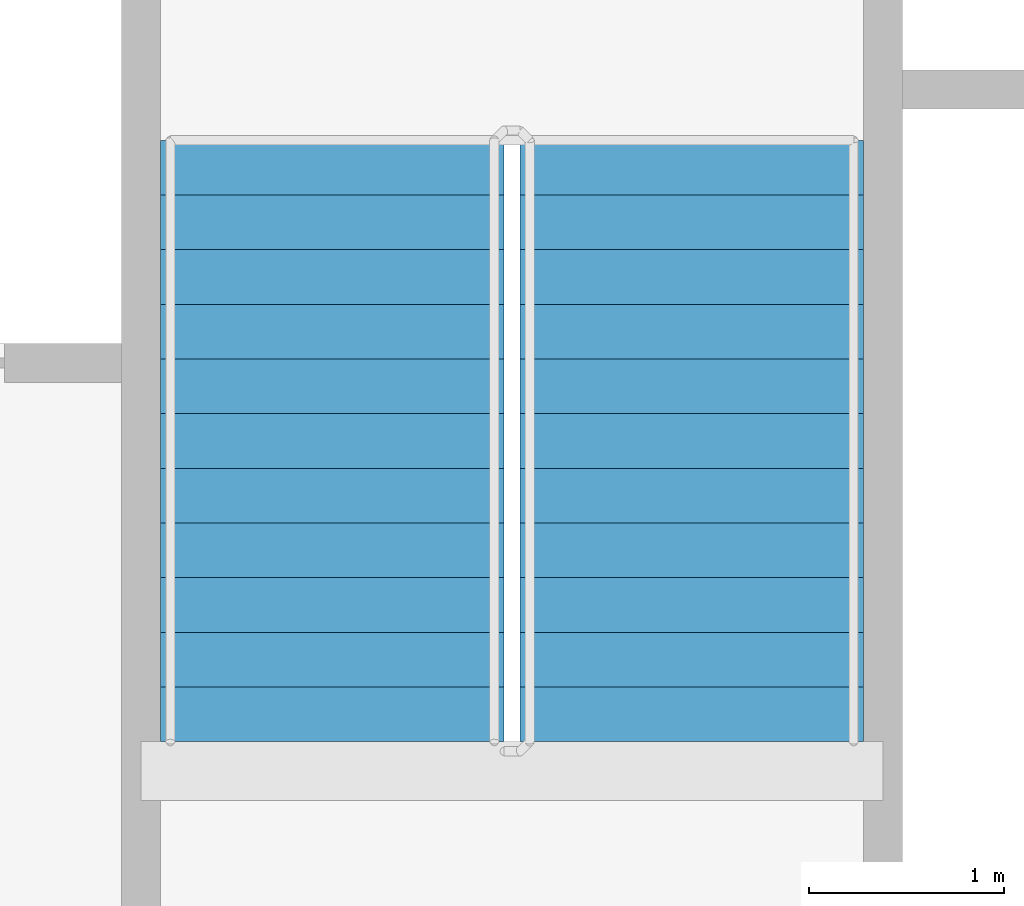
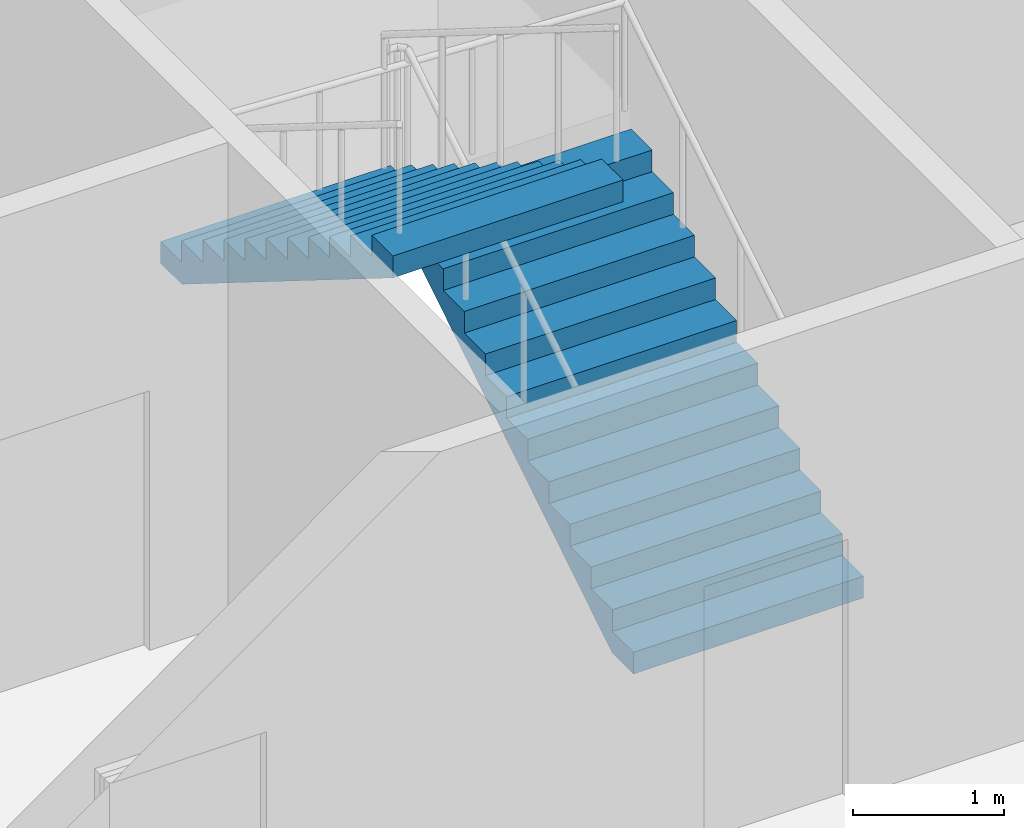
# One storey, part 24 of 28: 2 stair flights, 1 element without a shape of its own.
"""IFC4 building model written with IfcOpenShell, lengths in metres."""

import ifcopenshell
import ifcopenshell.guid

model = None  # the IFC model being written
_history = None  # IfcOwnerHistory: only IFC2X3 demands one
_inside = {}  # id of a spatial element -> (the spatial element, [elements in it])
_under = {}  # id of a project, library or spatial element -> (it, [spatial elements below it])
_declared = {}  # id of a project -> (the project, [libraries it declares])
_typed = {}  # id of a type object -> (the type object, [elements of that type])
_made_of = {}  # id of a material, layer set ... -> (it, [elements and type objects made of it])


def new_model(schema):
    """Start an empty IFC model of exactly this schema.

    Asked for "IFC4X3", IfcOpenShell would pick the latest addendum, in which some entities
    have other attributes; the version numbers below select the first issue.
    IFC2X3 requires an IfcOwnerHistory on every rooted entity: one is made here for all.
    """
    global model, _history
    if schema == "IFC4X3":
        model = ifcopenshell.file(schema_version=(4, 3, 0, 0))
    else:
        model = ifcopenshell.file(schema=schema)
    _inside.clear()
    _under.clear()
    _declared.clear()
    _typed.clear()
    _made_of.clear()
    _history = None
    if model.schema == "IFC2X3":
        org = make("IfcOrganization", Name="unknown")
        user = make(
            "IfcPersonAndOrganization",
            ThePerson=make("IfcPerson", FamilyName="unknown"),
            TheOrganization=org,
        )
        app = make(
            "IfcApplication",
            ApplicationDeveloper=org,
            Version="unknown",
            ApplicationFullName="unknown",
            ApplicationIdentifier="unknown",
        )
        _history = make(
            "IfcOwnerHistory",
            OwningUser=user,
            OwningApplication=app,
            ChangeAction="ADDED",
            CreationDate=0,
        )
    return model


def make(cls, **values):
    """One entity of the class cls with the attributes given. An attribute that is None is left unset."""
    return model.create_entity(
        cls, **{name: value for name, value in values.items() if value is not None}
    )


def rooted(cls, **values):
    """An entity with a GlobalId (a new one), such as an element, a storey or a relation."""
    return make(cls, GlobalId=ifcopenshell.guid.new(), OwnerHistory=_history, **values)


def si_unit(unit_type, name, prefix=None):
    """IfcSIUnit, for example si_unit("LENGTHUNIT", "METRE", prefix="MILLI")."""
    return make("IfcSIUnit", UnitType=unit_type, Prefix=prefix, Name=name)


def assignment(units):
    """IfcUnitAssignment: the units of a project."""
    return None if units is None else make("IfcUnitAssignment", Units=units)


def point(xyz):
    """IfcCartesianPoint."""
    return None if xyz is None else make("IfcCartesianPoint", Coordinates=xyz)


def direction(xyz):
    """IfcDirection."""
    return None if xyz is None else make("IfcDirection", DirectionRatios=xyz)


def frame(location, z_axis=None, x_axis=None):
    """IfcAxis2Placement3D, a coordinate frame: its origin and axes. An axis left out is left unset."""
    return make(
        "IfcAxis2Placement3D",
        Location=point(location),
        Axis=direction(z_axis),
        RefDirection=direction(x_axis),
    )


def origin():
    """The frame at (0, 0, 0) with its axes left unset."""
    return frame((0.0, 0.0, 0.0))


def place(relative_to, where):
    """IfcLocalPlacement: puts the frame where relative to a parent placement (None: the world)."""
    return make(
        "IfcLocalPlacement", PlacementRelTo=relative_to, RelativePlacement=where
    )


def context(
    kind, dimensions, precision=None, world=None, true_north=None, identifier=None
):
    """IfcGeometricRepresentationContext, for example the 3D "Model" context."""
    return make(
        "IfcGeometricRepresentationContext",
        ContextIdentifier=identifier,
        ContextType=kind,
        CoordinateSpaceDimension=dimensions,
        Precision=precision,
        WorldCoordinateSystem=world,
        TrueNorth=true_north,
    )


def subcontext(parent, identifier, kind, view, scale=None):
    """IfcGeometricRepresentationSubContext, for example "Body" below "Model"."""
    return make(
        "IfcGeometricRepresentationSubContext",
        ContextIdentifier=identifier,
        ContextType=kind,
        ParentContext=parent,
        TargetScale=scale,
        TargetView=view,
    )


def project(units=None, contexts=None):
    """IfcProject with its units and contexts."""
    return rooted(
        "IfcProject",
        Name="project",
        RepresentationContexts=contexts,
        UnitsInContext=assignment(units),
    )


def spatial(cls, under=None, at=None, **own):
    """A site, building, storey or space (cls), placed at a placement, below another one or the project."""
    s = rooted(cls, ObjectPlacement=at, **own)
    if under is not None:
        _under.setdefault(under.id(), (under, []))[1].append(s)
    return s


def faces_of(points, faces, orient=None, outer=None):
    """IfcFace entities. A face is a list of loops; a loop is a list of indices into points, from 0.

    orient and outer hold one flag for each loop. By default every Orientation is true, the
    first loop of a face is its IfcFaceOuterBound and the others are IfcFaceBound.
    """
    made = []
    for i, loops in enumerate(faces):
        bounds = []
        for j, loop in enumerate(loops):
            is_outer = j == 0 if outer is None else outer[i][j]
            bounds.append(
                make(
                    "IfcFaceOuterBound" if is_outer else "IfcFaceBound",
                    Bound=make("IfcPolyLoop", Polygon=[points[k] for k in loop]),
                    Orientation=True if orient is None else orient[i][j],
                )
            )
        made.append(make("IfcFace", Bounds=bounds))
    return made


def faceted_brep(points, faces, orient=None, outer=None, voids=None):
    """IfcFacetedBrep: a solid bounded by flat faces; with voids (closed shells), ...WithVoids."""
    shared = [point(p) for p in points]
    hull = make("IfcClosedShell", CfsFaces=faces_of(shared, faces, orient, outer))
    if voids is None:
        return make("IfcFacetedBrep", Outer=hull)
    return make(
        "IfcFacetedBrepWithVoids",
        Outer=hull,
        Voids=[
            make(cls, CfsFaces=faces_of(shared, fs, o, b)) for cls, fs, o, b in voids
        ],
    )


def shape(context_of_items, identifier, shape_type, items):
    """IfcShapeRepresentation: the items that make up one representation, for example the "Body"."""
    return make(
        "IfcShapeRepresentation",
        ContextOfItems=context_of_items,
        RepresentationIdentifier=identifier,
        RepresentationType=shape_type,
        Items=items,
    )


def material(Name=None, Category=None):
    """IfcMaterial."""
    return make("IfcMaterial", Name=Name, Category=Category)


def made_of(thing, what):
    """Note that an element or type object is made of a material, layer set ...; save() writes the relation."""
    if what is not None:
        _made_of.setdefault(what.id(), (what, []))[1].append(thing)
    return thing


def type_object(cls, material=None, **own):
    """A type object (cls), such as IfcWallType, which elements share."""
    return made_of(rooted(cls, **own), material)


def element(
    cls,
    number,
    at=None,
    inside=None,
    cuts=None,
    type_object=None,
    material=None,
    context=None,
    identifier="Body",
    shape_type=None,
    held_by="IfcProductDefinitionShape",
    body=None,
    shapes=None,
    **own,
):
    """One element of the class cls, such as IfcWall. Its Tag is "e" and its number.

    at: its placement. inside: the storey or other place that contains it. cuts: it is an
    opening in that element (IfcRelVoidsElement). A single representation is given by context,
    identifier, shape_type and body (its items); several are given by shapes. held_by: the class
    of the entity that holds the representations. save() writes the other relations.
    """
    e = rooted(cls, Tag="e%d" % number, ObjectPlacement=at, **own)
    if body is not None:
        shapes = [shape(context, identifier, shape_type, body)]
    if shapes is not None:
        e.Representation = make(held_by, Representations=shapes)
    if inside is not None:
        _inside.setdefault(inside.id(), (inside, []))[1].append(e)
    if cuts is not None:
        rooted(
            "IfcRelVoidsElement", RelatingBuildingElement=cuts, RelatedOpeningElement=e
        )
    if type_object is not None:
        _typed.setdefault(type_object.id(), (type_object, []))[1].append(e)
    return made_of(e, material)


def aggregate(whole, parts):
    """IfcRelAggregates: a whole, such as a stair, and the parts it consists of."""
    return rooted("IfcRelAggregates", RelatingObject=whole, RelatedObjects=parts)


def save(model, path):
    """Write the relations noted so far, then the file.

    IfcRelAggregates (storeys below a building ...), IfcRelContainedInSpatialStructure (elements
    in a storey), IfcRelDefinesByType, IfcRelAssociatesMaterial and IfcRelDeclares: one each for
    every whole, place, type object, material and project.
    """
    for whole, parts in _under.values():
        aggregate(whole, parts)
    for where, things in _inside.values():
        rooted(
            "IfcRelContainedInSpatialStructure",
            RelatedElements=things,
            RelatingStructure=where,
        )
    for kind, things in _typed.values():
        rooted("IfcRelDefinesByType", RelatedObjects=things, RelatingType=kind)
    for what, things in _made_of.values():
        rooted("IfcRelAssociatesMaterial", RelatedObjects=things, RelatingMaterial=what)
    for by, libraries in _declared.values():
        rooted("IfcRelDeclares", RelatingContext=by, RelatedDefinitions=libraries)
    model.write(path)


model = new_model("IFC4")

# Units and contexts
model_context = context("Model", 3, precision=1e-05, world=origin(), true_north=direction((0.0, 1.0)))
body_context = subcontext(model_context, "Body", "Model", "MODEL_VIEW")
ifc_project = project(units=[si_unit("LENGTHUNIT", "METRE"), si_unit("AREAUNIT", "SQUARE_METRE"), si_unit("VOLUMEUNIT", "CUBIC_METRE"), si_unit("PLANEANGLEUNIT", "RADIAN"), si_unit("MASSUNIT", "GRAM", prefix="KILO")], contexts=[model_context])

# Site, building, storey
site_placement = place(None, origin())
site = spatial("IfcSite", under=ifc_project, at=site_placement, CompositionType="ELEMENT")
building_placement = place(site_placement, origin())
building = spatial("IfcBuilding", under=site, at=building_placement, Name="Tarsis Ring Headquarters", CompositionType="ELEMENT")
storey_placement = place(building_placement, frame((0.0, 0.0, 394.39990234375)))
storey = spatial("IfcBuildingStorey", under=building, at=storey_placement, Name="L93", CompositionType="ELEMENT", Elevation=394.39990234375)

# Stair, stair flights
ifc_material_1 = material(Name="Core stair 1760")
stair_type = type_object("IfcStairType", Name="Core stair 1760", PredefinedType="HALF_TURN_STAIR", material=ifc_material_1)
stair_placement = place(storey_placement, origin())
stair = element("IfcStair", 1, at=stair_placement, inside=storey, type_object=stair_type, Name="L93 Exit stair B", PredefinedType="HALF_TURN_STAIR")
ifc_material_2 = material(Name="Concrete C40/50", Category="concrete")
stair_flight_type = type_object("IfcStairFlightType", Name="Core stair flight 1760", PredefinedType="STRAIGHT", material=ifc_material_2)
stair_flight_1_placement = place(storey_placement, frame((5.419921875, 3.659912109375, 0.0), z_axis=(0.0, 0.0, 1.0), x_axis=(0.0, 1.0, 0.0)))
stair_flight_1 = element("IfcStairFlight", 2, at=stair_flight_1_placement, type_object=stair_flight_type, Name="Stair ST2 flight 1", NumberOfRisers=12, NumberOfTreads=11, PredefinedType="STRAIGHT", RiserHeight=0.175, TreadLength=0.28, context=body_context, shape_type="Brep", body=[
    faceted_brep([(0.0, 0.8798828125, 0.0), (0.0, 0.8798828125, 0.175048828125), (0.280029296875, 0.8798828125, 0.175048828125), (0.280029296875, 0.8798828125, 0.35009765625), (0.56005859375, 0.8798828125, 0.35009765625), (0.56005859375, 0.8798828125, 0.52490234375), (0.840087890625, 0.8798828125, 0.52490234375), (0.840087890625, 0.8798828125, 0.699951171875), (1.1201171875, 0.8798828125, 0.699951171875), (1.1201171875, 0.8798828125, 0.875), (1.39990234375, 0.8798828125, 0.875), (1.39990234375, 0.8798828125, 1.050048828125), (1.679931640625, 0.8798828125, 1.050048828125), (1.679931640625, 0.8798828125, 1.22509765625), (1.9599609375, 0.8798828125, 1.22509765625), (1.9599609375, 0.8798828125, 1.39990234375), (2.239990234375, 0.8798828125, 1.39990234375), (2.239990234375, 0.8798828125, 1.574951171875), (2.52001953125, 0.8798828125, 1.574951171875), (2.52001953125, 0.8798828125, 1.75), (2.800048828125, 0.8798828125, 1.75), (2.800048828125, 0.8798828125, 1.925048828125), (3.080078125, 0.8798828125, 1.925048828125), (3.080078125, 0.8798828125, 1.748291015625), (0.28271484375, 0.8798828125, 0.0), (0.28271484375, -0.8798828125, 0.0), (3.080078125, -0.8798828125, 1.748291015625), (3.080078125, -0.8798828125, 1.925048828125), (2.800048828125, -0.8798828125, 1.925048828125), (2.800048828125, -0.8798828125, 1.75), (2.52001953125, -0.8798828125, 1.75), (2.52001953125, -0.8798828125, 1.574951171875), (2.239990234375, -0.8798828125, 1.574951171875), (2.239990234375, -0.8798828125, 1.39990234375), (1.9599609375, -0.8798828125, 1.39990234375), (1.9599609375, -0.8798828125, 1.22509765625), (1.679931640625, -0.8798828125, 1.22509765625), (1.679931640625, -0.8798828125, 1.050048828125), (1.39990234375, -0.8798828125, 1.050048828125), (1.39990234375, -0.8798828125, 0.875), (1.1201171875, -0.8798828125, 0.875), (1.1201171875, -0.8798828125, 0.699951171875), (0.840087890625, -0.8798828125, 0.699951171875), (0.840087890625, -0.8798828125, 0.52490234375), (0.56005859375, -0.8798828125, 0.52490234375), (0.56005859375, -0.8798828125, 0.35009765625), (0.280029296875, -0.8798828125, 0.35009765625), (0.280029296875, -0.8798828125, 0.175048828125), (0.0, -0.8798828125, 0.175048828125), (0.0, -0.8798828125, 0.0), (0.0, -0.43994140625, 0.175048828125), (0.0, -0.43994140625, 0.0), (0.0, 0.0, 0.175048828125), (0.0, 0.0, 0.0), (0.0, 0.43994140625, 0.175048828125), (0.0, 0.43994140625, 0.0), (0.280029296875, -0.43994140625, 0.175048828125), (0.280029296875, 0.0, 0.175048828125), (0.280029296875, 0.43994140625, 0.175048828125), (0.280029296875, -0.43994140625, 0.35009765625), (0.280029296875, 0.0, 0.35009765625), (0.280029296875, 0.43994140625, 0.35009765625), (0.56005859375, -0.43994140625, 0.35009765625), (0.56005859375, 0.0, 0.35009765625), (0.56005859375, 0.43994140625, 0.35009765625), (0.56005859375, -0.43994140625, 0.52490234375), (0.56005859375, 0.0, 0.52490234375), (0.56005859375, 0.43994140625, 0.52490234375), (0.840087890625, -0.43994140625, 0.52490234375), (0.840087890625, 0.0, 0.52490234375), (0.840087890625, 0.43994140625, 0.52490234375), (0.840087890625, -0.43994140625, 0.699951171875), (0.840087890625, 0.0, 0.699951171875), (0.840087890625, 0.43994140625, 0.699951171875), (1.1201171875, -0.43994140625, 0.699951171875), (1.1201171875, 0.0, 0.699951171875), (1.1201171875, 0.43994140625, 0.699951171875), (1.1201171875, -0.43994140625, 0.875), (1.1201171875, 0.0, 0.875), (1.1201171875, 0.43994140625, 0.875), (1.39990234375, -0.43994140625, 0.875), (1.39990234375, 0.0, 0.875), (1.39990234375, 0.43994140625, 0.875), (1.39990234375, -0.43994140625, 1.050048828125), (1.39990234375, 0.0, 1.050048828125), (1.39990234375, 0.43994140625, 1.050048828125), (1.679931640625, -0.43994140625, 1.050048828125), (1.679931640625, 0.0, 1.050048828125), (1.679931640625, 0.43994140625, 1.050048828125), (1.679931640625, -0.43994140625, 1.22509765625), (1.679931640625, 0.0, 1.22509765625), (1.679931640625, 0.43994140625, 1.22509765625), (1.9599609375, -0.43994140625, 1.22509765625), (1.9599609375, 0.0, 1.22509765625), (1.9599609375, 0.43994140625, 1.22509765625), (1.9599609375, -0.43994140625, 1.39990234375), (1.9599609375, 0.0, 1.39990234375), (1.9599609375, 0.43994140625, 1.39990234375), (2.239990234375, -0.43994140625, 1.39990234375), (2.239990234375, 0.0, 1.39990234375), (2.239990234375, 0.43994140625, 1.39990234375), (2.239990234375, -0.43994140625, 1.574951171875), (2.239990234375, 0.0, 1.574951171875), (2.239990234375, 0.43994140625, 1.574951171875), (2.52001953125, -0.43994140625, 1.574951171875), (2.52001953125, 0.0, 1.574951171875), (2.52001953125, 0.43994140625, 1.574951171875), (2.52001953125, -0.43994140625, 1.75), (2.52001953125, 0.0, 1.75), (2.52001953125, 0.43994140625, 1.75), (2.800048828125, -0.43994140625, 1.75), (2.800048828125, 0.0, 1.75), (2.800048828125, 0.43994140625, 1.75), (2.800048828125, -0.43994140625, 1.925048828125), (2.800048828125, 0.0, 1.925048828125), (2.800048828125, 0.43994140625, 1.925048828125), (3.080078125, -0.43994140625, 1.925048828125), (3.080078125, 0.0, 1.925048828125), (3.080078125, 0.43994140625, 1.925048828125), (3.080078125, -0.43994140625, 1.748291015625), (3.080078125, 0.0, 1.748291015625), (3.080078125, 0.43994140625, 1.748291015625), (0.28271484375, -0.43994140625, 0.0), (0.28271484375, 0.0, 0.0), (0.28271484375, 0.43994140625, 0.0)], [[[0, 1, 2, 3, 4, 5, 6, 7, 8, 9, 10, 11, 12, 13, 14, 15, 16, 17, 18, 19, 20, 21, 22, 23, 24]], [[25, 26, 27, 28, 29, 30, 31, 32, 33, 34, 35, 36, 37, 38, 39, 40, 41, 42, 43, 44, 45, 46, 47, 48, 49]], [[49, 48, 50, 51]], [[51, 50, 52, 53]], [[53, 52, 54, 55]], [[55, 54, 1, 0]], [[48, 47, 56, 50]], [[50, 56, 57, 52]], [[52, 57, 58, 54]], [[54, 58, 2, 1]], [[47, 46, 59, 56]], [[56, 59, 60, 57]], [[57, 60, 61, 58]], [[58, 61, 3, 2]], [[46, 45, 62, 59]], [[59, 62, 63, 60]], [[60, 63, 64, 61]], [[61, 64, 4, 3]], [[45, 44, 65, 62]], [[62, 65, 66, 63]], [[63, 66, 67, 64]], [[64, 67, 5, 4]], [[44, 43, 68, 65]], [[65, 68, 69, 66]], [[66, 69, 70, 67]], [[67, 70, 6, 5]], [[43, 42, 71, 68]], [[68, 71, 72, 69]], [[69, 72, 73, 70]], [[70, 73, 7, 6]], [[42, 41, 74, 71]], [[71, 74, 75, 72]], [[72, 75, 76, 73]], [[73, 76, 8, 7]], [[41, 40, 77, 74]], [[74, 77, 78, 75]], [[75, 78, 79, 76]], [[76, 79, 9, 8]], [[40, 39, 80, 77]], [[77, 80, 81, 78]], [[78, 81, 82, 79]], [[79, 82, 10, 9]], [[39, 38, 83, 80]], [[80, 83, 84, 81]], [[81, 84, 85, 82]], [[82, 85, 11, 10]], [[38, 37, 86, 83]], [[83, 86, 87, 84]], [[84, 87, 88, 85]], [[85, 88, 12, 11]], [[37, 36, 89, 86]], [[86, 89, 90, 87]], [[87, 90, 91, 88]], [[88, 91, 13, 12]], [[36, 35, 92, 89]], [[89, 92, 93, 90]], [[90, 93, 94, 91]], [[91, 94, 14, 13]], [[35, 34, 95, 92]], [[92, 95, 96, 93]], [[93, 96, 97, 94]], [[94, 97, 15, 14]], [[34, 33, 98, 95]], [[95, 98, 99, 96]], [[96, 99, 100, 97]], [[97, 100, 16, 15]], [[33, 32, 101, 98]], [[98, 101, 102, 99]], [[99, 102, 103, 100]], [[100, 103, 17, 16]], [[32, 31, 104, 101]], [[101, 104, 105, 102]], [[102, 105, 106, 103]], [[103, 106, 18, 17]], [[31, 30, 107, 104]], [[104, 107, 108, 105]], [[105, 108, 109, 106]], [[106, 109, 19, 18]], [[30, 29, 110, 107]], [[107, 110, 111, 108]], [[108, 111, 112, 109]], [[109, 112, 20, 19]], [[29, 28, 113, 110]], [[110, 113, 114, 111]], [[111, 114, 115, 112]], [[112, 115, 21, 20]], [[28, 27, 116, 113]], [[113, 116, 117, 114]], [[114, 117, 118, 115]], [[115, 118, 22, 21]], [[27, 26, 119, 116]], [[116, 119, 120, 117]], [[117, 120, 121, 118]], [[118, 121, 23, 22]], [[26, 25, 122, 119]], [[119, 122, 123, 120]], [[120, 123, 124, 121]], [[121, 124, 24, 23]], [[25, 49, 51, 122]], [[122, 51, 53, 123]], [[123, 53, 55, 124]], [[124, 55, 0, 24]]]),
])
stair_flight_2_placement = place(storey_placement, frame((3.580078125, 6.739990234375, 2.10009765625), z_axis=(0.0, 0.0, 1.0), x_axis=(0.0, -1.0, 0.0)))
stair_flight_2 = element("IfcStairFlight", 3, at=stair_flight_2_placement, type_object=stair_flight_type, Name="Stair ST2 flight 2", NumberOfRisers=12, NumberOfTreads=11, PredefinedType="STRAIGHT", RiserHeight=0.175, TreadLength=0.28, context=body_context, shape_type="Brep", body=[
    faceted_brep([(0.0, 0.8798828125, 0.0), (0.0, 0.8798828125, 0.175048828125), (0.280029296875, 0.8798828125, 0.175048828125), (0.280029296875, 0.8798828125, 0.35009765625), (0.56005859375, 0.8798828125, 0.35009765625), (0.56005859375, 0.8798828125, 0.52490234375), (0.840087890625, 0.8798828125, 0.52490234375), (0.840087890625, 0.8798828125, 0.699951171875), (1.1201171875, 0.8798828125, 0.699951171875), (1.1201171875, 0.8798828125, 0.875), (1.39990234375, 0.8798828125, 0.875), (1.39990234375, 0.8798828125, 1.050048828125), (1.679931640625, 0.8798828125, 1.050048828125), (1.679931640625, 0.8798828125, 1.22509765625), (1.9599609375, 0.8798828125, 1.22509765625), (1.9599609375, 0.8798828125, 1.39990234375), (2.239990234375, 0.8798828125, 1.39990234375), (2.239990234375, 0.8798828125, 1.574951171875), (2.52001953125, 0.8798828125, 1.574951171875), (2.52001953125, 0.8798828125, 1.75), (2.800048828125, 0.8798828125, 1.75), (2.800048828125, 0.8798828125, 1.925048828125), (3.080078125, 0.8798828125, 1.925048828125), (3.080078125, 0.8798828125, 1.748291015625), (0.28271484375, 0.8798828125, 0.0), (0.28271484375, -0.8798828125, 0.0), (3.080078125, -0.8798828125, 1.748291015625), (3.080078125, -0.8798828125, 1.925048828125), (2.800048828125, -0.8798828125, 1.925048828125), (2.800048828125, -0.8798828125, 1.75), (2.52001953125, -0.8798828125, 1.75), (2.52001953125, -0.8798828125, 1.574951171875), (2.239990234375, -0.8798828125, 1.574951171875), (2.239990234375, -0.8798828125, 1.39990234375), (1.9599609375, -0.8798828125, 1.39990234375), (1.9599609375, -0.8798828125, 1.22509765625), (1.679931640625, -0.8798828125, 1.22509765625), (1.679931640625, -0.8798828125, 1.050048828125), (1.39990234375, -0.8798828125, 1.050048828125), (1.39990234375, -0.8798828125, 0.875), (1.1201171875, -0.8798828125, 0.875), (1.1201171875, -0.8798828125, 0.699951171875), (0.840087890625, -0.8798828125, 0.699951171875), (0.840087890625, -0.8798828125, 0.52490234375), (0.56005859375, -0.8798828125, 0.52490234375), (0.56005859375, -0.8798828125, 0.35009765625), (0.280029296875, -0.8798828125, 0.35009765625), (0.280029296875, -0.8798828125, 0.175048828125), (0.0, -0.8798828125, 0.175048828125), (0.0, -0.8798828125, 0.0), (0.0, -0.43994140625, 0.175048828125), (0.0, -0.43994140625, 0.0), (0.0, 0.0, 0.175048828125), (0.0, 0.0, 0.0), (0.0, 0.43994140625, 0.175048828125), (0.0, 0.43994140625, 0.0), (0.280029296875, -0.43994140625, 0.175048828125), (0.280029296875, 0.0, 0.175048828125), (0.280029296875, 0.43994140625, 0.175048828125), (0.280029296875, -0.43994140625, 0.35009765625), (0.280029296875, 0.0, 0.35009765625), (0.280029296875, 0.43994140625, 0.35009765625), (0.56005859375, -0.43994140625, 0.35009765625), (0.56005859375, 0.0, 0.35009765625), (0.56005859375, 0.43994140625, 0.35009765625), (0.56005859375, -0.43994140625, 0.52490234375), (0.56005859375, 0.0, 0.52490234375), (0.56005859375, 0.43994140625, 0.52490234375), (0.840087890625, -0.43994140625, 0.52490234375), (0.840087890625, 0.0, 0.52490234375), (0.840087890625, 0.43994140625, 0.52490234375), (0.840087890625, -0.43994140625, 0.699951171875), (0.840087890625, 0.0, 0.699951171875), (0.840087890625, 0.43994140625, 0.699951171875), (1.1201171875, -0.43994140625, 0.699951171875), (1.1201171875, 0.0, 0.699951171875), (1.1201171875, 0.43994140625, 0.699951171875), (1.1201171875, -0.43994140625, 0.875), (1.1201171875, 0.0, 0.875), (1.1201171875, 0.43994140625, 0.875), (1.39990234375, -0.43994140625, 0.875), (1.39990234375, 0.0, 0.875), (1.39990234375, 0.43994140625, 0.875), (1.39990234375, -0.43994140625, 1.050048828125), (1.39990234375, 0.0, 1.050048828125), (1.39990234375, 0.43994140625, 1.050048828125), (1.679931640625, -0.43994140625, 1.050048828125), (1.679931640625, 0.0, 1.050048828125), (1.679931640625, 0.43994140625, 1.050048828125), (1.679931640625, -0.43994140625, 1.22509765625), (1.679931640625, 0.0, 1.22509765625), (1.679931640625, 0.43994140625, 1.22509765625), (1.9599609375, -0.43994140625, 1.22509765625), (1.9599609375, 0.0, 1.22509765625), (1.9599609375, 0.43994140625, 1.22509765625), (1.9599609375, -0.43994140625, 1.39990234375), (1.9599609375, 0.0, 1.39990234375), (1.9599609375, 0.43994140625, 1.39990234375), (2.239990234375, -0.43994140625, 1.39990234375), (2.239990234375, 0.0, 1.39990234375), (2.239990234375, 0.43994140625, 1.39990234375), (2.239990234375, -0.43994140625, 1.574951171875), (2.239990234375, 0.0, 1.574951171875), (2.239990234375, 0.43994140625, 1.574951171875), (2.52001953125, -0.43994140625, 1.574951171875), (2.52001953125, 0.0, 1.574951171875), (2.52001953125, 0.43994140625, 1.574951171875), (2.52001953125, -0.43994140625, 1.75), (2.52001953125, 0.0, 1.75), (2.52001953125, 0.43994140625, 1.75), (2.800048828125, -0.43994140625, 1.75), (2.800048828125, 0.0, 1.75), (2.800048828125, 0.43994140625, 1.75), (2.800048828125, -0.43994140625, 1.925048828125), (2.800048828125, 0.0, 1.925048828125), (2.800048828125, 0.43994140625, 1.925048828125), (3.080078125, -0.43994140625, 1.925048828125), (3.080078125, 0.0, 1.925048828125), (3.080078125, 0.43994140625, 1.925048828125), (3.080078125, -0.43994140625, 1.748291015625), (3.080078125, 0.0, 1.748291015625), (3.080078125, 0.43994140625, 1.748291015625), (0.28271484375, -0.43994140625, 0.0), (0.28271484375, 0.0, 0.0), (0.28271484375, 0.43994140625, 0.0)], [[[0, 1, 2, 3, 4, 5, 6, 7, 8, 9, 10, 11, 12, 13, 14, 15, 16, 17, 18, 19, 20, 21, 22, 23, 24]], [[25, 26, 27, 28, 29, 30, 31, 32, 33, 34, 35, 36, 37, 38, 39, 40, 41, 42, 43, 44, 45, 46, 47, 48, 49]], [[49, 48, 50, 51]], [[51, 50, 52, 53]], [[53, 52, 54, 55]], [[55, 54, 1, 0]], [[48, 47, 56, 50]], [[50, 56, 57, 52]], [[52, 57, 58, 54]], [[54, 58, 2, 1]], [[47, 46, 59, 56]], [[56, 59, 60, 57]], [[57, 60, 61, 58]], [[58, 61, 3, 2]], [[46, 45, 62, 59]], [[59, 62, 63, 60]], [[60, 63, 64, 61]], [[61, 64, 4, 3]], [[45, 44, 65, 62]], [[62, 65, 66, 63]], [[63, 66, 67, 64]], [[64, 67, 5, 4]], [[44, 43, 68, 65]], [[65, 68, 69, 66]], [[66, 69, 70, 67]], [[67, 70, 6, 5]], [[43, 42, 71, 68]], [[68, 71, 72, 69]], [[69, 72, 73, 70]], [[70, 73, 7, 6]], [[42, 41, 74, 71]], [[71, 74, 75, 72]], [[72, 75, 76, 73]], [[73, 76, 8, 7]], [[41, 40, 77, 74]], [[74, 77, 78, 75]], [[75, 78, 79, 76]], [[76, 79, 9, 8]], [[40, 39, 80, 77]], [[77, 80, 81, 78]], [[78, 81, 82, 79]], [[79, 82, 10, 9]], [[39, 38, 83, 80]], [[80, 83, 84, 81]], [[81, 84, 85, 82]], [[82, 85, 11, 10]], [[38, 37, 86, 83]], [[83, 86, 87, 84]], [[84, 87, 88, 85]], [[85, 88, 12, 11]], [[37, 36, 89, 86]], [[86, 89, 90, 87]], [[87, 90, 91, 88]], [[88, 91, 13, 12]], [[36, 35, 92, 89]], [[89, 92, 93, 90]], [[90, 93, 94, 91]], [[91, 94, 14, 13]], [[35, 34, 95, 92]], [[92, 95, 96, 93]], [[93, 96, 97, 94]], [[94, 97, 15, 14]], [[34, 33, 98, 95]], [[95, 98, 99, 96]], [[96, 99, 100, 97]], [[97, 100, 16, 15]], [[33, 32, 101, 98]], [[98, 101, 102, 99]], [[99, 102, 103, 100]], [[100, 103, 17, 16]], [[32, 31, 104, 101]], [[101, 104, 105, 102]], [[102, 105, 106, 103]], [[103, 106, 18, 17]], [[31, 30, 107, 104]], [[104, 107, 108, 105]], [[105, 108, 109, 106]], [[106, 109, 19, 18]], [[30, 29, 110, 107]], [[107, 110, 111, 108]], [[108, 111, 112, 109]], [[109, 112, 20, 19]], [[29, 28, 113, 110]], [[110, 113, 114, 111]], [[111, 114, 115, 112]], [[112, 115, 21, 20]], [[28, 27, 116, 113]], [[113, 116, 117, 114]], [[114, 117, 118, 115]], [[115, 118, 22, 21]], [[27, 26, 119, 116]], [[116, 119, 120, 117]], [[117, 120, 121, 118]], [[118, 121, 23, 22]], [[26, 25, 122, 119]], [[119, 122, 123, 120]], [[120, 123, 124, 121]], [[121, 124, 24, 23]], [[25, 49, 51, 122]], [[122, 51, 53, 123]], [[123, 53, 55, 124]], [[124, 55, 0, 24]]]),
])
aggregate(stair, [stair_flight_1, stair_flight_2])

save(model, "model.ifc")
